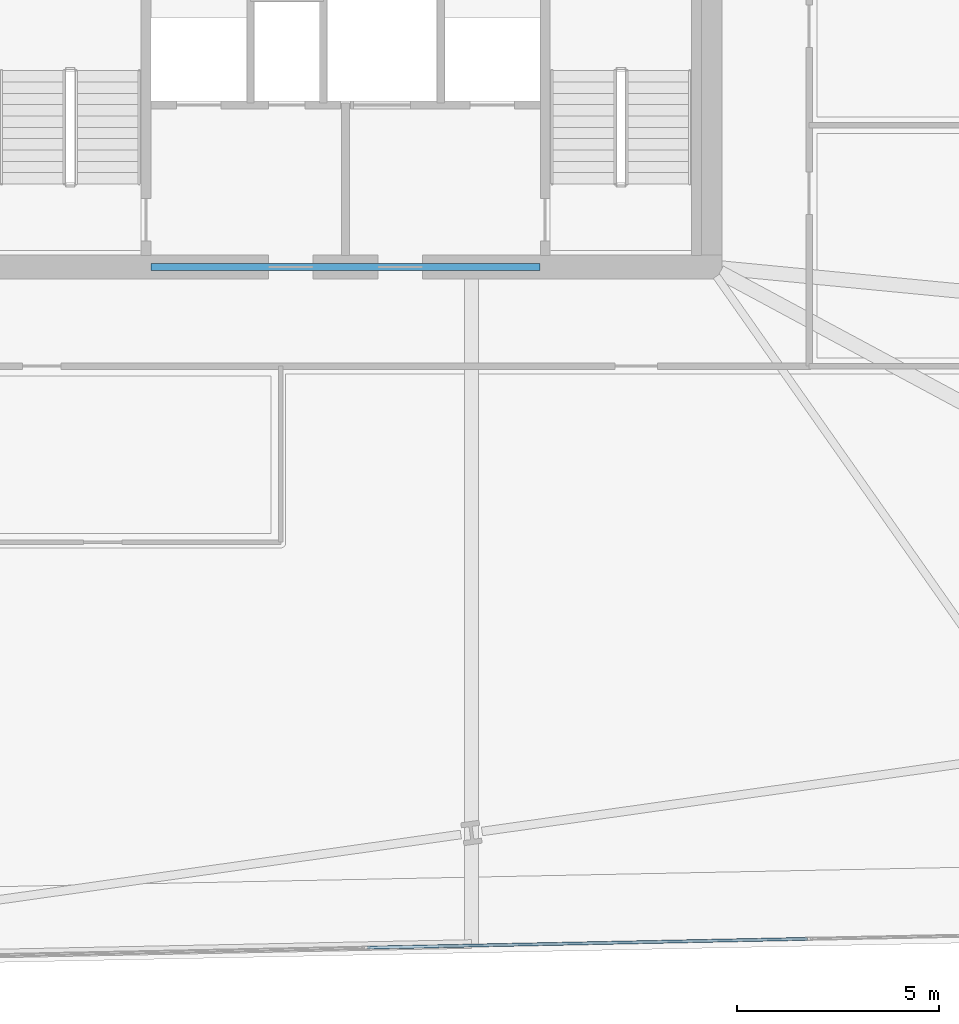
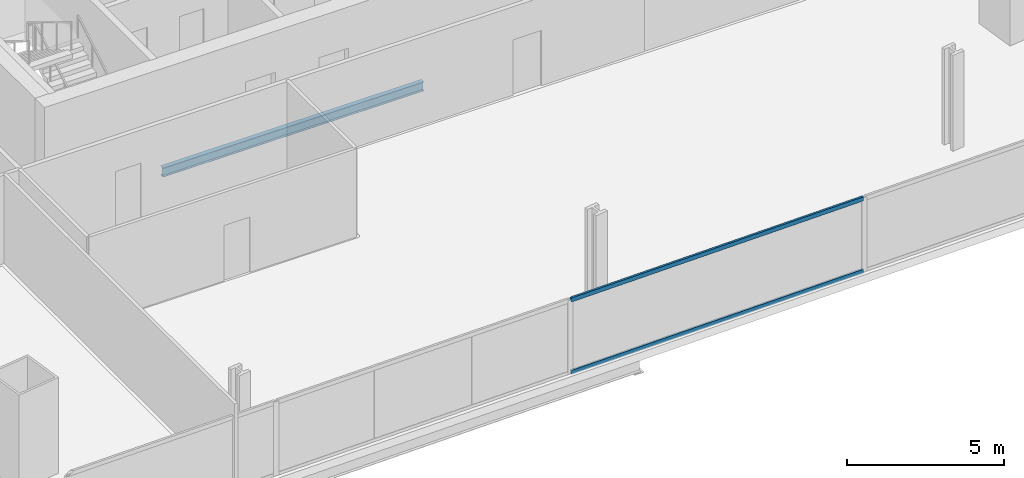
# One storey, part 9 of 35: 2 members, 1 beam, 1 element without a shape of its own.
"""IFC4 building model written with IfcOpenShell, lengths in metres."""

import ifcopenshell
import ifcopenshell.guid

model = None  # the IFC model being written
_history = None  # IfcOwnerHistory: only IFC2X3 demands one
_inside = {}  # id of a spatial element -> (the spatial element, [elements in it])
_under = {}  # id of a project, library or spatial element -> (it, [spatial elements below it])
_declared = {}  # id of a project -> (the project, [libraries it declares])
_typed = {}  # id of a type object -> (the type object, [elements of that type])
_made_of = {}  # id of a material, layer set ... -> (it, [elements and type objects made of it])


def new_model(schema):
    """Start an empty IFC model of exactly this schema.

    Asked for "IFC4X3", IfcOpenShell would pick the latest addendum, in which some entities
    have other attributes; the version numbers below select the first issue.
    IFC2X3 requires an IfcOwnerHistory on every rooted entity: one is made here for all.
    """
    global model, _history
    if schema == "IFC4X3":
        model = ifcopenshell.file(schema_version=(4, 3, 0, 0))
    else:
        model = ifcopenshell.file(schema=schema)
    _inside.clear()
    _under.clear()
    _declared.clear()
    _typed.clear()
    _made_of.clear()
    _history = None
    if model.schema == "IFC2X3":
        org = make("IfcOrganization", Name="unknown")
        user = make(
            "IfcPersonAndOrganization",
            ThePerson=make("IfcPerson", FamilyName="unknown"),
            TheOrganization=org,
        )
        app = make(
            "IfcApplication",
            ApplicationDeveloper=org,
            Version="unknown",
            ApplicationFullName="unknown",
            ApplicationIdentifier="unknown",
        )
        _history = make(
            "IfcOwnerHistory",
            OwningUser=user,
            OwningApplication=app,
            ChangeAction="ADDED",
            CreationDate=0,
        )
    return model


def make(cls, **values):
    """One entity of the class cls with the attributes given. An attribute that is None is left unset."""
    return model.create_entity(
        cls, **{name: value for name, value in values.items() if value is not None}
    )


def rooted(cls, **values):
    """An entity with a GlobalId (a new one), such as an element, a storey or a relation."""
    return make(cls, GlobalId=ifcopenshell.guid.new(), OwnerHistory=_history, **values)


def si_unit(unit_type, name, prefix=None):
    """IfcSIUnit, for example si_unit("LENGTHUNIT", "METRE", prefix="MILLI")."""
    return make("IfcSIUnit", UnitType=unit_type, Prefix=prefix, Name=name)


def assignment(units):
    """IfcUnitAssignment: the units of a project."""
    return None if units is None else make("IfcUnitAssignment", Units=units)


def point(xyz):
    """IfcCartesianPoint."""
    return None if xyz is None else make("IfcCartesianPoint", Coordinates=xyz)


def direction(xyz):
    """IfcDirection."""
    return None if xyz is None else make("IfcDirection", DirectionRatios=xyz)


def frame(location, z_axis=None, x_axis=None):
    """IfcAxis2Placement3D, a coordinate frame: its origin and axes. An axis left out is left unset."""
    return make(
        "IfcAxis2Placement3D",
        Location=point(location),
        Axis=direction(z_axis),
        RefDirection=direction(x_axis),
    )


def frame_2d(location, x_axis=None):
    """IfcAxis2Placement2D, a coordinate frame in the plane: its origin and x axis."""
    return make(
        "IfcAxis2Placement2D", Location=point(location), RefDirection=direction(x_axis)
    )


def origin():
    """The frame at (0, 0, 0) with its axes left unset."""
    return frame((0.0, 0.0, 0.0))


def origin_2d():
    """The frame at (0, 0) in the plane with its x axis left unset."""
    return frame_2d((0.0, 0.0))


def place(relative_to, where):
    """IfcLocalPlacement: puts the frame where relative to a parent placement (None: the world)."""
    return make(
        "IfcLocalPlacement", PlacementRelTo=relative_to, RelativePlacement=where
    )


def context(
    kind, dimensions, precision=None, world=None, true_north=None, identifier=None
):
    """IfcGeometricRepresentationContext, for example the 3D "Model" context."""
    return make(
        "IfcGeometricRepresentationContext",
        ContextIdentifier=identifier,
        ContextType=kind,
        CoordinateSpaceDimension=dimensions,
        Precision=precision,
        WorldCoordinateSystem=world,
        TrueNorth=true_north,
    )


def subcontext(parent, identifier, kind, view, scale=None):
    """IfcGeometricRepresentationSubContext, for example "Body" below "Model"."""
    return make(
        "IfcGeometricRepresentationSubContext",
        ContextIdentifier=identifier,
        ContextType=kind,
        ParentContext=parent,
        TargetScale=scale,
        TargetView=view,
    )


def project(units=None, contexts=None):
    """IfcProject with its units and contexts."""
    return rooted(
        "IfcProject",
        Name="project",
        RepresentationContexts=contexts,
        UnitsInContext=assignment(units),
    )


def spatial(cls, under=None, at=None, **own):
    """A site, building, storey or space (cls), placed at a placement, below another one or the project."""
    s = rooted(cls, ObjectPlacement=at, **own)
    if under is not None:
        _under.setdefault(under.id(), (under, []))[1].append(s)
    return s


def profile(cls, at=None, kind="AREA", **sizes):
    """A parametric profile (cls). Its sizes go by their IFC names, for example OverallWidth=200.0."""
    return make(cls, ProfileType=kind, Position=at, **sizes)


def hollow_rectangle(**sizes):
    """IfcRectangleHollowProfileDef."""
    return profile("IfcRectangleHollowProfileDef", **sizes)


def i_section(**sizes):
    """IfcIShapeProfileDef."""
    return profile("IfcIShapeProfileDef", **sizes)


def extrude(swept, where, along, depth):
    """IfcExtrudedAreaSolid: the profile swept, set in the frame where, extruded along a direction by depth."""
    return make(
        "IfcExtrudedAreaSolid",
        SweptArea=swept,
        Position=where,
        ExtrudedDirection=direction(along),
        Depth=depth,
    )


def shape(context_of_items, identifier, shape_type, items):
    """IfcShapeRepresentation: the items that make up one representation, for example the "Body"."""
    return make(
        "IfcShapeRepresentation",
        ContextOfItems=context_of_items,
        RepresentationIdentifier=identifier,
        RepresentationType=shape_type,
        Items=items,
    )


def material(Name=None, Category=None):
    """IfcMaterial."""
    return make("IfcMaterial", Name=Name, Category=Category)


def material_profile(
    of_material, cross_section, Name=None, Category=None, Priority=None
):
    """IfcMaterialProfile: a cross section and its material."""
    return make(
        "IfcMaterialProfile",
        Name=Name,
        Material=of_material,
        Profile=cross_section,
        Priority=Priority,
        Category=Category,
    )


def profile_set(profiles, Name=None, composite=None):
    """IfcMaterialProfileSet."""
    return make(
        "IfcMaterialProfileSet",
        Name=Name,
        MaterialProfiles=profiles,
        CompositeProfile=composite,
    )


def made_of(thing, what):
    """Note that an element or type object is made of a material, layer set ...; save() writes the relation."""
    if what is not None:
        _made_of.setdefault(what.id(), (what, []))[1].append(thing)
    return thing


def type_object(cls, material=None, **own):
    """A type object (cls), such as IfcWallType, which elements share."""
    return made_of(rooted(cls, **own), material)


def element(
    cls,
    number,
    at=None,
    inside=None,
    cuts=None,
    type_object=None,
    material=None,
    context=None,
    identifier="Body",
    shape_type=None,
    held_by="IfcProductDefinitionShape",
    body=None,
    shapes=None,
    **own,
):
    """One element of the class cls, such as IfcWall. Its Tag is "e" and its number.

    at: its placement. inside: the storey or other place that contains it. cuts: it is an
    opening in that element (IfcRelVoidsElement). A single representation is given by context,
    identifier, shape_type and body (its items); several are given by shapes. held_by: the class
    of the entity that holds the representations. save() writes the other relations.
    """
    e = rooted(cls, Tag="e%d" % number, ObjectPlacement=at, **own)
    if body is not None:
        shapes = [shape(context, identifier, shape_type, body)]
    if shapes is not None:
        e.Representation = make(held_by, Representations=shapes)
    if inside is not None:
        _inside.setdefault(inside.id(), (inside, []))[1].append(e)
    if cuts is not None:
        rooted(
            "IfcRelVoidsElement", RelatingBuildingElement=cuts, RelatedOpeningElement=e
        )
    if type_object is not None:
        _typed.setdefault(type_object.id(), (type_object, []))[1].append(e)
    return made_of(e, material)


def aggregate(whole, parts):
    """IfcRelAggregates: a whole, such as a stair, and the parts it consists of."""
    return rooted("IfcRelAggregates", RelatingObject=whole, RelatedObjects=parts)


def save(model, path):
    """Write the relations noted so far, then the file.

    IfcRelAggregates (storeys below a building ...), IfcRelContainedInSpatialStructure (elements
    in a storey), IfcRelDefinesByType, IfcRelAssociatesMaterial and IfcRelDeclares: one each for
    every whole, place, type object, material and project.
    """
    for whole, parts in _under.values():
        aggregate(whole, parts)
    for where, things in _inside.values():
        rooted(
            "IfcRelContainedInSpatialStructure",
            RelatedElements=things,
            RelatingStructure=where,
        )
    for kind, things in _typed.values():
        rooted("IfcRelDefinesByType", RelatedObjects=things, RelatingType=kind)
    for what, things in _made_of.values():
        rooted("IfcRelAssociatesMaterial", RelatedObjects=things, RelatingMaterial=what)
    for by, libraries in _declared.values():
        rooted("IfcRelDeclares", RelatingContext=by, RelatedDefinitions=libraries)
    model.write(path)


model = new_model("IFC4")

# Units and contexts
model_context = context("Model", 3, precision=1e-05, world=origin(), true_north=direction((0.0, 1.0)))
body_context = subcontext(model_context, "Body", "Model", "MODEL_VIEW")
ifc_project = project(units=[si_unit("LENGTHUNIT", "METRE"), si_unit("AREAUNIT", "SQUARE_METRE"), si_unit("VOLUMEUNIT", "CUBIC_METRE"), si_unit("PLANEANGLEUNIT", "RADIAN"), si_unit("MASSUNIT", "GRAM", prefix="KILO")], contexts=[model_context])

# Site, building, storey
site_placement = place(None, origin())
site = spatial("IfcSite", under=ifc_project, at=site_placement, CompositionType="ELEMENT")
building_placement = place(site_placement, origin())
building = spatial("IfcBuilding", under=site, at=building_placement, Name="Haldenkirk Collegiate Tower", CompositionType="ELEMENT")
storey_placement = place(building_placement, frame((0.0, 0.0, 32.699951171875)))
storey = spatial("IfcBuildingStorey", under=building, at=storey_placement, Name="L06", CompositionType="ELEMENT", Elevation=32.699951171875)

# Beam
ifc_material_1 = material(Name="Steel ASTM A992 Grade 50", Category="steel")
ifc_material_profile_1 = material_profile(ifc_material_1, i_section(OverallWidth=0.1708984375, OverallDepth=0.35595703125, WebThickness=0.007080078125, FlangeThickness=0.01171875, at=origin_2d()), Name="W14X34")
ifc_profile_set_1 = profile_set([ifc_material_profile_1], Name="Steel ASTM A992 Grade 50")
beam_type = type_object("IfcBeamType", Name="BM-LINTEL-W14X34", PredefinedType="LINTEL", material=ifc_profile_set_1)
beam_placement = place(storey_placement, frame((31.199951171875, 18.0, -0.488037109375), z_axis=(1.0, 0.0, 0.0), x_axis=(0.0, 1.0, 0.0)))
element("IfcBeam", 1, at=beam_placement, inside=storey, type_object=beam_type, Name="L06 south core coupling lintel", PredefinedType="LINTEL", context=body_context, shape_type="SweptSolid", body=[
    extrude(i_section(OverallWidth=0.1708984375, OverallDepth=0.35595703125, WebThickness=0.007080078125, FlangeThickness=0.01171875, at=origin_2d()), origin(), (0.0, 0.0, 1.0), 9.60009765625),
])

# Curtain wall, members
ifc_material_2 = material(Name="Anodised architectural bronze aluminium", Category="aluminium")
curtain_wall_type = type_object("IfcCurtainWallType", Name="CW-SYS2-CONCAVE", PredefinedType="USERDEFINED", material=ifc_material_2)
curtain_wall_placement = place(storey_placement, origin())
curtain_wall = element("IfcCurtainWall", 2, at=curtain_wall_placement, inside=storey, type_object=curtain_wall_type, Name="L06 South concave recessed bronze-anodised curtain wall", ObjectType="UNITISED CURTAIN WALL", PredefinedType="USERDEFINED")
ifc_material_profile_2 = material_profile(ifc_material_2, hollow_rectangle(XDim=0.074951171875, YDim=0.159912109375, WallThickness=0.0048828125, at=origin_2d()), Name="CW-TRN-02")
ifc_profile_set_2 = profile_set([ifc_material_profile_2], Name="Anodised architectural bronze aluminium")
member_type = type_object("IfcMemberType", Name="CW-TRN-02", PredefinedType="USERDEFINED", material=ifc_profile_set_2)
member_1_placement = place(storey_placement, frame((47.408447265625, 1.404052734375, 0.03759765625), z_axis=(-0.999798576148, -0.020070055621, 0.0), x_axis=(0.020070055621, -0.999798576148, 0.0)))
member_1 = element("IfcMember", 3, at=member_1_placement, type_object=member_type, Name="CW-02 transom 2.1", ObjectType="TRANSOM", PredefinedType="USERDEFINED", context=body_context, shape_type="SweptSolid", body=[
    extrude(hollow_rectangle(XDim=0.074951171875, YDim=0.159912109375, WallThickness=0.0048828125, at=origin_2d()), origin(), (0.0, 0.0, 1.0), 10.875),
])
member_2_placement = place(storey_placement, frame((47.408447265625, 1.404052734375, 2.853515625), z_axis=(-0.999798576148, -0.020070055621, 0.0), x_axis=(0.020070055621, -0.999798576148, 0.0)))
member_2 = element("IfcMember", 4, at=member_2_placement, type_object=member_type, Name="CW-02 transom 2.2", ObjectType="TRANSOM", PredefinedType="USERDEFINED", context=body_context, shape_type="SweptSolid", body=[
    extrude(hollow_rectangle(XDim=0.074951171875, YDim=0.159912109375, WallThickness=0.0048828125, at=origin_2d()), origin(), (0.0, 0.0, 1.0), 10.875),
])
aggregate(curtain_wall, [member_1, member_2])

save(model, "model.ifc")
